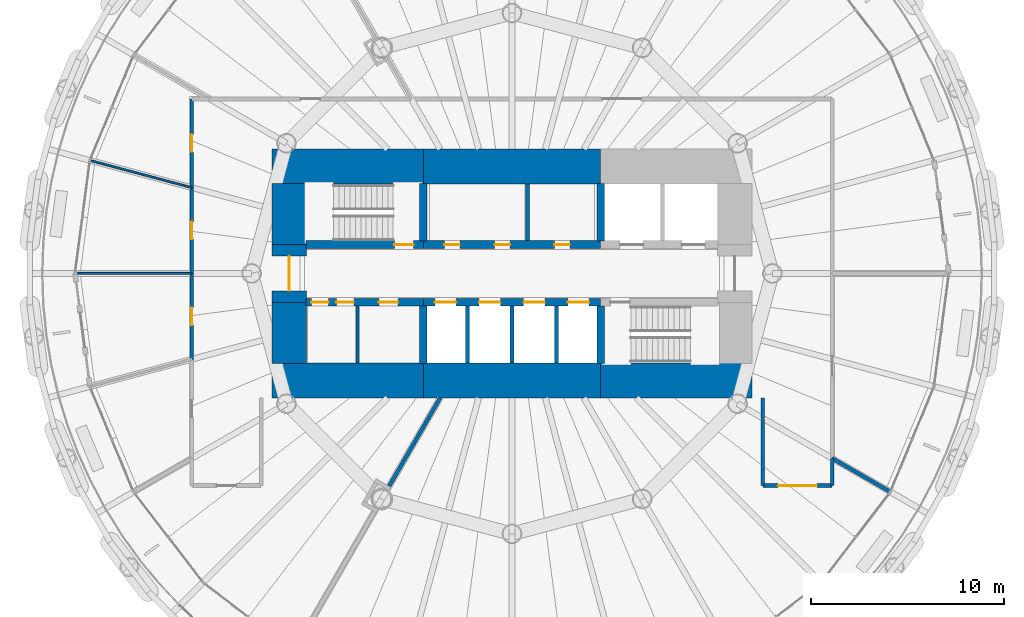
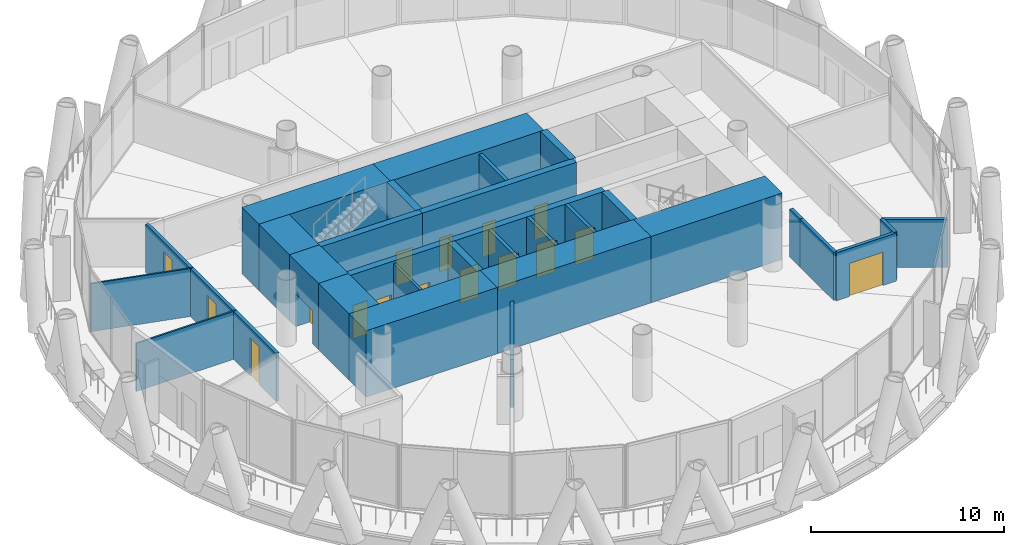
# One storey, part 10 of 15: 32 walls, 16 doors, 16 openings.
"""IFC4 building model written with IfcOpenShell, lengths in metres."""

from ifc_helpers import new_model, si_unit, direction, frame, frame_2d, origin, place, context, subcontext, project, spatial, rectangle, extrude, material, layer, layer_set, type_object, element, fill, save


model = new_model("IFC4")

# Units and contexts
model_context = context("Model", 3, precision=1e-05, world=origin(), true_north=direction((0.0, 1.0)))
body_context = subcontext(model_context, "Body", "Model", "MODEL_VIEW")
ifc_project = project(units=[si_unit("LENGTHUNIT", "METRE"), si_unit("AREAUNIT", "SQUARE_METRE"), si_unit("VOLUMEUNIT", "CUBIC_METRE"), si_unit("PLANEANGLEUNIT", "RADIAN"), si_unit("MASSUNIT", "GRAM", prefix="KILO")], contexts=[model_context])

# Site, building, storey
site_placement = place(None, origin())
site = spatial("IfcSite", under=ifc_project, at=site_placement, CompositionType="ELEMENT")
building_placement = place(site_placement, origin())
building = spatial("IfcBuilding", under=site, at=building_placement, Name="Qaws Media Tower", CompositionType="ELEMENT")
storey_placement = place(building_placement, frame((0.0, 0.0, 131.0)))
storey = spatial("IfcBuildingStorey", under=building, at=storey_placement, Name="L29", CompositionType="ELEMENT", Elevation=131.0)

# Wall, opening, door
ifc_material_1 = material(Name="Concrete C60/75", Category="concrete")
ifc_layer_1 = layer(ifc_material_1, 0.39990234375)
ifc_layer_set_1 = layer_set([ifc_layer_1], Name="Core inner wall 400")
wall_type_1 = type_object("IfcWallType", Name="Core inner wall 400", PredefinedType="SHEAR", material=ifc_layer_set_1)
wall_1_placement = place(storey_placement, frame((49.330078125, 51.5, 0.0), z_axis=(0.0, 0.0, 1.0), x_axis=(1.0, 0.0, 0.0)))
wall_1 = element("IfcWall", 1, at=wall_1_placement, inside=storey, type_object=wall_type_1, Name="W321 SW4 core wall SPNW L29", PredefinedType="SHEAR", context=body_context, shape_type="SweptSolid", body=[
    extrude(rectangle(XDim=6.06982421875, YDim=0.39990234375, at=frame_2d((3.034912109375, 0.0))), origin(), (0.0, 0.0, 1.0), 4.199951171875),
])
opening_1_placement = place(wall_1_placement, frame((4.570068359375, 0.0, 0.0)))
opening_1 = element("IfcOpeningElement", 2, at=opening_1_placement, cuts=wall_1, Name="Opening D1", PredefinedType="OPENING", context=body_context, shape_type="SweptSolid", body=[
    extrude(rectangle(XDim=1.0, YDim=2.10009765625, at=frame_2d((0.5, 1.050048828125))), frame((0.0, 0.2099609375, 0.0), z_axis=(0.0, -1.0, 0.0), x_axis=(1.0, 0.0, 0.0)), (0.0, 0.0, 1.0), 0.419921875),
])
ifc_material_2 = material(Name="Steel, fire rated", Category="steel")
door_type_1 = type_object("IfcDoorType", Name="Stair door 1000 FD120", OperationType="SINGLE_SWING_LEFT", PredefinedType="DOOR", material=ifc_material_2)
door_1_placement = place(opening_1_placement, origin())
door_1 = element("IfcDoor", 3, at=door_1_placement, inside=storey, type_object=door_type_1, Name="D1 stair S1 door L29 in wall W321", OperationType="SINGLE_SWING_LEFT", OverallHeight=2.10009765625, OverallWidth=1.0, PredefinedType="DOOR", context=body_context, shape_type="SweptSolid", body=[
    extrude(rectangle(XDim=1.0, YDim=2.10009765625, at=frame_2d((0.5, 1.050048828125))), frame((0.0, 0.02490234375, 0.0), z_axis=(0.0, -1.0, 0.0), x_axis=(1.0, 0.0, 0.0)), (0.0, 0.0, 1.0), 0.050048828125),
])
fill(opening_1, door_1)

# Wall, openings, doors
wall_2_placement = place(storey_placement, frame((55.39990234375, 51.5, 0.0), z_axis=(0.0, 0.0, 1.0), x_axis=(1.0, 0.0, 0.0)))
wall_2 = element("IfcWall", 4, at=wall_2_placement, inside=storey, type_object=wall_type_1, Name="W314 SW4 core wall SPN L29", PredefinedType="SHEAR", context=body_context, shape_type="SweptSolid", body=[
    extrude(rectangle(XDim=9.2001953125, YDim=0.39990234375, at=frame_2d((4.60009765625, 0.0))), origin(), (0.0, 0.0, 1.0), 4.199951171875),
])
opening_2_placement = place(wall_2_placement, frame((1.10009765625, 0.0, 0.0)))
opening_2 = element("IfcOpeningElement", 5, at=opening_2_placement, cuts=wall_2, Name="Opening D23", PredefinedType="OPENING", context=body_context, shape_type="SweptSolid", body=[
    extrude(rectangle(XDim=0.800048828125, YDim=2.10009765625, at=frame_2d((0.39990234375, 1.050048828125))), frame((0.0, 0.2099609375, 0.0), z_axis=(0.0, -1.0, 0.0), x_axis=(1.0, 0.0, 0.0)), (0.0, 0.0, 1.0), 0.419921875),
])
opening_3_placement = place(wall_2_placement, frame((3.699951171875, 0.0, 0.0)))
opening_3 = element("IfcOpeningElement", 6, at=opening_3_placement, cuts=wall_2, Name="Opening D23", PredefinedType="OPENING", context=body_context, shape_type="SweptSolid", body=[
    extrude(rectangle(XDim=0.800048828125, YDim=2.10009765625, at=frame_2d((0.39990234375, 1.050048828125))), frame((0.0, 0.2099609375, 0.0), z_axis=(0.0, -1.0, 0.0), x_axis=(1.0, 0.0, 0.0)), (0.0, 0.0, 1.0), 0.419921875),
])
opening_4_placement = place(wall_2_placement, frame((6.800048828125, 0.0, 0.0)))
opening_4 = element("IfcOpeningElement", 7, at=opening_4_placement, cuts=wall_2, Name="Opening D23", PredefinedType="OPENING", context=body_context, shape_type="SweptSolid", body=[
    extrude(rectangle(XDim=0.800048828125, YDim=2.10009765625, at=frame_2d((0.39990234375, 1.050048828125))), frame((0.0, 0.2099609375, 0.0), z_axis=(0.0, -1.0, 0.0), x_axis=(1.0, 0.0, 0.0)), (0.0, 0.0, 1.0), 0.419921875),
])
ifc_material_3 = material(Name="Steel, fire rated", Category="steel")
door_type_2 = type_object("IfcDoorType", Name="Core room door 800x2100", OperationType="SINGLE_SWING_LEFT", PredefinedType="DOOR", material=ifc_material_3)
door_2_placement = place(opening_2_placement, origin())
door_2 = element("IfcDoor", 8, at=door_2_placement, inside=storey, type_object=door_type_2, Name="D23 Gents toilets door L29 1 in wall W314", OperationType="SINGLE_SWING_LEFT", OverallHeight=2.10009765625, OverallWidth=0.800048828125, PredefinedType="DOOR", context=body_context, shape_type="SweptSolid", body=[
    extrude(rectangle(XDim=0.800048828125, YDim=2.10009765625, at=frame_2d((0.39990234375, 1.050048828125))), frame((0.0, 0.02490234375, 0.0), z_axis=(0.0, -1.0, 0.0), x_axis=(1.0, 0.0, 0.0)), (0.0, 0.0, 1.0), 0.050048828125),
])
fill(opening_2, door_2)
door_3_placement = place(opening_3_placement, origin())
door_3 = element("IfcDoor", 9, at=door_3_placement, inside=storey, type_object=door_type_2, Name="D23 Gents toilets door L29 2 in wall W314", OperationType="SINGLE_SWING_LEFT", OverallHeight=2.10009765625, OverallWidth=0.800048828125, PredefinedType="DOOR", context=body_context, shape_type="SweptSolid", body=[
    extrude(rectangle(XDim=0.800048828125, YDim=2.10009765625, at=frame_2d((0.39990234375, 1.050048828125))), frame((0.0, 0.02490234375, 0.0), z_axis=(0.0, -1.0, 0.0), x_axis=(1.0, 0.0, 0.0)), (0.0, 0.0, 1.0), 0.050048828125),
])
fill(opening_3, door_3)
door_4_placement = place(opening_4_placement, origin())
door_4 = element("IfcDoor", 10, at=door_4_placement, inside=storey, type_object=door_type_2, Name="D23 Ladies toilets door L29 in wall W314", OperationType="SINGLE_SWING_LEFT", OverallHeight=2.10009765625, OverallWidth=0.800048828125, PredefinedType="DOOR", context=body_context, shape_type="SweptSolid", body=[
    extrude(rectangle(XDim=0.800048828125, YDim=2.10009765625, at=frame_2d((0.39990234375, 1.050048828125))), frame((0.0, 0.02490234375, 0.0), z_axis=(0.0, -1.0, 0.0), x_axis=(1.0, 0.0, 0.0)), (0.0, 0.0, 1.0), 0.050048828125),
])
fill(opening_4, door_4)

wall_3_placement = place(storey_placement, frame((49.330078125, 48.5, 0.0), z_axis=(0.0, 0.0, 1.0), x_axis=(1.0, 0.0, 0.0)))
wall_3 = element("IfcWall", 11, at=wall_3_placement, inside=storey, type_object=wall_type_1, Name="W320 SW4 core wall SPSW L29", PredefinedType="SHEAR", context=body_context, shape_type="SweptSolid", body=[
    extrude(rectangle(XDim=6.06982421875, YDim=0.39990234375, at=frame_2d((3.034912109375, 0.0))), origin(), (0.0, 0.0, 1.0), 4.199951171875),
])
opening_5_placement = place(wall_3_placement, frame((0.27001953125, 0.0, 0.0)))
opening_5 = element("IfcOpeningElement", 12, at=opening_5_placement, cuts=wall_3, Name="Opening D3", PredefinedType="OPENING", context=body_context, shape_type="SweptSolid", body=[
    extrude(rectangle(XDim=0.89990234375, YDim=2.10009765625, at=frame_2d((0.449951171875, 1.050048828125))), frame((0.0, 0.2099609375, 0.0), z_axis=(0.0, -1.0, 0.0), x_axis=(1.0, 0.0, 0.0)), (0.0, 0.0, 1.0), 0.419921875),
])
opening_6_placement = place(wall_3_placement, frame((1.570068359375, 0.0, 0.0)))
opening_6 = element("IfcOpeningElement", 13, at=opening_6_placement, cuts=wall_3, Name="Opening D3", PredefinedType="OPENING", context=body_context, shape_type="SweptSolid", body=[
    extrude(rectangle(XDim=0.89990234375, YDim=2.10009765625, at=frame_2d((0.449951171875, 1.050048828125))), frame((0.0, 0.2099609375, 0.0), z_axis=(0.0, -1.0, 0.0), x_axis=(1.0, 0.0, 0.0)), (0.0, 0.0, 1.0), 0.419921875),
])
opening_7_placement = place(wall_3_placement, frame((3.77001953125, 0.0, 0.0)))
opening_7 = element("IfcOpeningElement", 14, at=opening_7_placement, cuts=wall_3, Name="Opening D4", PredefinedType="OPENING", context=body_context, shape_type="SweptSolid", body=[
    extrude(rectangle(XDim=1.0, YDim=2.10009765625, at=frame_2d((0.5, 1.050048828125))), frame((0.0, 0.2099609375, 0.0), z_axis=(0.0, -1.0, 0.0), x_axis=(1.0, 0.0, 0.0)), (0.0, 0.0, 1.0), 0.419921875),
])
ifc_material_4 = material(Name="Timber veneered", Category="wood")
door_type_3 = type_object("IfcDoorType", Name="Accessible WC door 1000", OperationType="SLIDING_TO_LEFT", PredefinedType="DOOR", material=ifc_material_4)
door_5_placement = place(opening_7_placement, origin())
door_5 = element("IfcDoor", 15, at=door_5_placement, inside=storey, type_object=door_type_3, Name="D4 toilet door 3 L29 in wall W320", OperationType="SLIDING_TO_LEFT", OverallHeight=2.10009765625, OverallWidth=1.0, PredefinedType="DOOR", context=body_context, shape_type="SweptSolid", body=[
    extrude(rectangle(XDim=1.0, YDim=2.10009765625, at=frame_2d((0.5, 1.050048828125))), frame((0.0, 0.02490234375, 0.0), z_axis=(0.0, -1.0, 0.0), x_axis=(1.0, 0.0, 0.0)), (0.0, 0.0, 1.0), 0.050048828125),
])
fill(opening_7, door_5)
ifc_material_5 = material(Name="Timber veneered", Category="wood")
door_type_4 = type_object("IfcDoorType", Name="Toilet door 900", OperationType="SINGLE_SWING_RIGHT", PredefinedType="DOOR", material=ifc_material_5)
door_6_placement = place(opening_5_placement, origin())
door_6 = element("IfcDoor", 16, at=door_6_placement, inside=storey, type_object=door_type_4, Name="D3 toilet door 1 L29 in wall W320", OperationType="SINGLE_SWING_RIGHT", OverallHeight=2.10009765625, OverallWidth=0.89990234375, PredefinedType="DOOR", context=body_context, shape_type="SweptSolid", body=[
    extrude(rectangle(XDim=0.89990234375, YDim=2.10009765625, at=frame_2d((0.449951171875, 1.050048828125))), frame((0.0, 0.02490234375, 0.0), z_axis=(0.0, -1.0, 0.0), x_axis=(1.0, 0.0, 0.0)), (0.0, 0.0, 1.0), 0.050048828125),
])
fill(opening_5, door_6)
door_7_placement = place(opening_6_placement, origin())
door_7 = element("IfcDoor", 17, at=door_7_placement, inside=storey, type_object=door_type_4, Name="D3 toilet door 2 L29 in wall W320", OperationType="SINGLE_SWING_RIGHT", OverallHeight=2.10009765625, OverallWidth=0.89990234375, PredefinedType="DOOR", context=body_context, shape_type="SweptSolid", body=[
    extrude(rectangle(XDim=0.89990234375, YDim=2.10009765625, at=frame_2d((0.449951171875, 1.050048828125))), frame((0.0, 0.02490234375, 0.0), z_axis=(0.0, -1.0, 0.0), x_axis=(1.0, 0.0, 0.0)), (0.0, 0.0, 1.0), 0.050048828125),
])
fill(opening_6, door_7)

wall_4_placement = place(storey_placement, frame((55.39990234375, 48.5, 0.0), z_axis=(0.0, 0.0, 1.0), x_axis=(1.0, 0.0, 0.0)))
wall_4 = element("IfcWall", 18, at=wall_4_placement, inside=storey, type_object=wall_type_1, Name="W313 SW4 core wall SPS L29", PredefinedType="SHEAR", context=body_context, shape_type="SweptSolid", body=[
    extrude(rectangle(XDim=9.2001953125, YDim=0.39990234375, at=frame_2d((4.60009765625, 0.0))), origin(), (0.0, 0.0, 1.0), 4.199951171875),
])
opening_8_placement = place(wall_4_placement, frame((0.60009765625, 0.0, 0.0)))
opening_8 = element("IfcOpeningElement", 19, at=opening_8_placement, cuts=wall_4, Name="Opening LD", PredefinedType="OPENING", context=body_context, shape_type="SweptSolid", body=[
    extrude(rectangle(XDim=1.10009765625, YDim=2.10009765625, at=frame_2d((0.550048828125, 1.050048828125))), frame((0.0, 0.2099609375, 0.0), z_axis=(0.0, -1.0, 0.0), x_axis=(1.0, 0.0, 0.0)), (0.0, 0.0, 1.0), 0.419921875),
])
opening_9_placement = place(wall_4_placement, frame((2.89990234375, 0.0, 0.0)))
opening_9 = element("IfcOpeningElement", 20, at=opening_9_placement, cuts=wall_4, Name="Opening LD", PredefinedType="OPENING", context=body_context, shape_type="SweptSolid", body=[
    extrude(rectangle(XDim=1.10009765625, YDim=2.10009765625, at=frame_2d((0.550048828125, 1.050048828125))), frame((0.0, 0.2099609375, 0.0), z_axis=(0.0, -1.0, 0.0), x_axis=(1.0, 0.0, 0.0)), (0.0, 0.0, 1.0), 0.419921875),
])
opening_10_placement = place(wall_4_placement, frame((5.199951171875, 0.0, 0.0)))
opening_10 = element("IfcOpeningElement", 21, at=opening_10_placement, cuts=wall_4, Name="Opening LD", PredefinedType="OPENING", context=body_context, shape_type="SweptSolid", body=[
    extrude(rectangle(XDim=1.10009765625, YDim=2.10009765625, at=frame_2d((0.550048828125, 1.050048828125))), frame((0.0, 0.2099609375, 0.0), z_axis=(0.0, -1.0, 0.0), x_axis=(1.0, 0.0, 0.0)), (0.0, 0.0, 1.0), 0.419921875),
])
opening_11_placement = place(wall_4_placement, frame((7.5, 0.0, 0.0)))
opening_11 = element("IfcOpeningElement", 22, at=opening_11_placement, cuts=wall_4, Name="Opening LD", PredefinedType="OPENING", context=body_context, shape_type="SweptSolid", body=[
    extrude(rectangle(XDim=1.10009765625, YDim=2.10009765625, at=frame_2d((0.550048828125, 1.050048828125))), frame((0.0, 0.2099609375, 0.0), z_axis=(0.0, -1.0, 0.0), x_axis=(1.0, 0.0, 0.0)), (0.0, 0.0, 1.0), 0.419921875),
])
ifc_material_6 = material(Name="Steel, fire rated", Category="steel")
door_type_5 = type_object("IfcDoorType", Name="Lift landing door 1100", OperationType="SLIDING_TO_LEFT", PredefinedType="DOOR", material=ifc_material_6)
door_8_placement = place(opening_8_placement, origin())
door_8 = element("IfcDoor", 23, at=door_8_placement, inside=storey, type_object=door_type_5, Name="P5 landing door L29 in wall W313", OperationType="SLIDING_TO_LEFT", OverallHeight=2.10009765625, OverallWidth=1.10009765625, PredefinedType="DOOR", context=body_context, shape_type="SweptSolid", body=[
    extrude(rectangle(XDim=1.10009765625, YDim=2.10009765625, at=frame_2d((0.550048828125, 1.050048828125))), frame((0.0, 0.02490234375, 0.0), z_axis=(0.0, -1.0, 0.0), x_axis=(1.0, 0.0, 0.0)), (0.0, 0.0, 1.0), 0.050048828125),
])
fill(opening_8, door_8)
door_9_placement = place(opening_9_placement, origin())
door_9 = element("IfcDoor", 24, at=door_9_placement, inside=storey, type_object=door_type_5, Name="P6 landing door L29 in wall W313", OperationType="SLIDING_TO_LEFT", OverallHeight=2.10009765625, OverallWidth=1.10009765625, PredefinedType="DOOR", context=body_context, shape_type="SweptSolid", body=[
    extrude(rectangle(XDim=1.10009765625, YDim=2.10009765625, at=frame_2d((0.550048828125, 1.050048828125))), frame((0.0, 0.02490234375, 0.0), z_axis=(0.0, -1.0, 0.0), x_axis=(1.0, 0.0, 0.0)), (0.0, 0.0, 1.0), 0.050048828125),
])
fill(opening_9, door_9)
door_10_placement = place(opening_10_placement, origin())
door_10 = element("IfcDoor", 25, at=door_10_placement, inside=storey, type_object=door_type_5, Name="P7 landing door L29 in wall W313", OperationType="SLIDING_TO_LEFT", OverallHeight=2.10009765625, OverallWidth=1.10009765625, PredefinedType="DOOR", context=body_context, shape_type="SweptSolid", body=[
    extrude(rectangle(XDim=1.10009765625, YDim=2.10009765625, at=frame_2d((0.550048828125, 1.050048828125))), frame((0.0, 0.02490234375, 0.0), z_axis=(0.0, -1.0, 0.0), x_axis=(1.0, 0.0, 0.0)), (0.0, 0.0, 1.0), 0.050048828125),
])
fill(opening_10, door_10)
door_11_placement = place(opening_11_placement, origin())
door_11 = element("IfcDoor", 26, at=door_11_placement, inside=storey, type_object=door_type_5, Name="P8 landing door L29 in wall W313", OperationType="SLIDING_TO_LEFT", OverallHeight=2.10009765625, OverallWidth=1.10009765625, PredefinedType="DOOR", context=body_context, shape_type="SweptSolid", body=[
    extrude(rectangle(XDim=1.10009765625, YDim=2.10009765625, at=frame_2d((0.550048828125, 1.050048828125))), frame((0.0, 0.02490234375, 0.0), z_axis=(0.0, -1.0, 0.0), x_axis=(1.0, 0.0, 0.0)), (0.0, 0.0, 1.0), 0.050048828125),
])
fill(opening_11, door_11)

# Walls
for number, where, z_axis, x_axis, name in (
    (27, (55.39990234375, 51.679931640625, 0.0), (0.0, 0.0, 1.0), (0.0, 1.0, 0.0), "W323 SW4 core wall XNW L29"),
    (28, (64.60009765625, 51.679931640625, 0.0), (0.0, 0.0, 1.0), (0.0, 1.0, 0.0), "W327 SW4 core wall XNE L29"),
    (29, (55.39990234375, 48.320068359375, 0.0), (0.0, 0.0, 1.0), (0.0, -1.0, 0.0), "W322 SW4 core wall XSW L29"),
    (30, (64.60009765625, 48.320068359375, 0.0), (0.0, 0.0, 1.0), (0.0, -1.0, 0.0), "W324 SW4 core wall XSE L29"),
):
    element("IfcWall", number, at=place(storey_placement, frame(where, z_axis=z_axis, x_axis=x_axis)), inside=storey, type_object=wall_type_1, Name=name, PredefinedType="SHEAR", context=body_context, shape_type="SweptSolid", body=[
        extrude(rectangle(XDim=2.989990234375, YDim=0.39990234375, at=frame_2d((1.4951171875, 0.0))), origin(), (0.0, 0.0, 1.0), 4.199951171875),
    ])
ifc_material_7 = material(Name="Concrete C60/75", Category="concrete")
ifc_layer_2 = layer(ifc_material_7, 1.800048828125)
ifc_layer_set_2 = layer_set([ifc_layer_2], Name="Core wall 1800")
wall_type_2 = type_object("IfcWallType", Name="Core wall 1800", PredefinedType="SHEAR", material=ifc_layer_set_2)
wall_5_placement = place(storey_placement, frame((47.550048828125, 55.550048828125, 0.0), z_axis=(0.0, 0.0, 1.0), x_axis=(1.0, 0.0, 0.0)))
element("IfcWall", 31, at=wall_5_placement, inside=storey, type_object=wall_type_2, Name="W417 SW11 core wall NW L29", PredefinedType="SHEAR", context=body_context, shape_type="SweptSolid", body=[
    extrude(rectangle(XDim=7.849853515625, YDim=1.800048828125, at=frame_2d((3.9248046875, 0.0))), origin(), (0.0, 0.0, 1.0), 4.199951171875),
])
wall_6_placement = place(storey_placement, frame((55.39990234375, 55.550048828125, 0.0), z_axis=(0.0, 0.0, 1.0), x_axis=(1.0, 0.0, 0.0)))
element("IfcWall", 32, at=wall_6_placement, inside=storey, type_object=wall_type_2, Name="W421 SW11 core wall N L29", PredefinedType="SHEAR", context=body_context, shape_type="SweptSolid", body=[
    extrude(rectangle(XDim=9.2001953125, YDim=1.800048828125, at=frame_2d((4.60009765625, 0.0))), origin(), (0.0, 0.0, 1.0), 4.199951171875),
])
wall_7_placement = place(storey_placement, frame((47.550048828125, 44.449951171875, 0.0), z_axis=(0.0, 0.0, 1.0), x_axis=(1.0, 0.0, 0.0)))
element("IfcWall", 33, at=wall_7_placement, inside=storey, type_object=wall_type_2, Name="W416 SW11 core wall SW L29", PredefinedType="SHEAR", context=body_context, shape_type="SweptSolid", body=[
    extrude(rectangle(XDim=7.849853515625, YDim=1.800048828125, at=frame_2d((3.9248046875, 0.0))), origin(), (0.0, 0.0, 1.0), 4.199951171875),
])
wall_8_placement = place(storey_placement, frame((55.39990234375, 44.449951171875, 0.0), z_axis=(0.0, 0.0, 1.0), x_axis=(1.0, 0.0, 0.0)))
element("IfcWall", 34, at=wall_8_placement, inside=storey, type_object=wall_type_2, Name="W420 SW11 core wall S L29", PredefinedType="SHEAR", context=body_context, shape_type="SweptSolid", body=[
    extrude(rectangle(XDim=9.2001953125, YDim=1.800048828125, at=frame_2d((4.60009765625, 0.0))), origin(), (0.0, 0.0, 1.0), 4.199951171875),
])
wall_9_placement = place(storey_placement, frame((64.60009765625, 44.449951171875, 0.0), z_axis=(0.0, 0.0, 1.0), x_axis=(1.0, 0.0, 0.0)))
element("IfcWall", 35, at=wall_9_placement, inside=storey, type_object=wall_type_2, Name="W422 SW11 core wall SE L29", PredefinedType="SHEAR", context=body_context, shape_type="SweptSolid", body=[
    extrude(rectangle(XDim=7.849853515625, YDim=1.800048828125, at=frame_2d((3.9248046875, 0.0))), origin(), (0.0, 0.0, 1.0), 4.199951171875),
])
wall_10_placement = place(storey_placement, frame((48.449951171875, 45.330078125, 0.0), z_axis=(0.0, 0.0, 1.0), x_axis=(0.0, 1.0, 0.0)))
element("IfcWall", 36, at=wall_10_placement, inside=storey, type_object=wall_type_2, Name="W418 SW11 core wall WS L29", PredefinedType="SHEAR", context=body_context, shape_type="SweptSolid", body=[
    extrude(rectangle(XDim=3.169921875, YDim=1.800048828125, at=frame_2d((1.5849609375, 0.0))), origin(), (0.0, 0.0, 1.0), 4.199951171875),
])

# Wall, opening, door
wall_11_placement = place(storey_placement, frame((48.449951171875, 48.5, 0.0), z_axis=(0.0, 0.0, 1.0), x_axis=(0.0, 1.0, 0.0)))
wall_11 = element("IfcWall", 37, at=wall_11_placement, inside=storey, type_object=wall_type_2, Name="W426 SW11 core wall W L29", PredefinedType="SHEAR", context=body_context, shape_type="SweptSolid", body=[
    extrude(rectangle(XDim=3.0, YDim=1.800048828125, at=frame_2d((1.5, 0.0))), origin(), (0.0, 0.0, 1.0), 4.199951171875),
])
opening_12_placement = place(wall_11_placement, frame((0.60009765625, 0.0, 0.0)))
opening_12 = element("IfcOpeningElement", 38, at=opening_12_placement, cuts=wall_11, Name="Opening D2", PredefinedType="OPENING", context=body_context, shape_type="SweptSolid", body=[
    extrude(rectangle(XDim=1.800048828125, YDim=2.10009765625, at=frame_2d((0.89990234375, 1.050048828125))), frame((0.0, 0.909912109375, 0.0), z_axis=(0.0, -1.0, 0.0), x_axis=(1.0, 0.0, 0.0)), (0.0, 0.0, 1.0), 1.820068359375),
])
ifc_material_8 = material(Name="Steel and glass, fire rated", Category="steel")
door_type_6 = type_object("IfcDoorType", Name="Lobby door pair 1800 FD60", OperationType="DOUBLE_DOOR_DOUBLE_SWING", PredefinedType="DOOR", material=ifc_material_8)
door_12_placement = place(opening_12_placement, origin())
door_12 = element("IfcDoor", 39, at=door_12_placement, inside=storey, type_object=door_type_6, Name="D2 core lobby door W L29 in wall W426", OperationType="DOUBLE_DOOR_DOUBLE_SWING", OverallHeight=2.10009765625, OverallWidth=1.800048828125, PredefinedType="DOOR", context=body_context, shape_type="SweptSolid", body=[
    extrude(rectangle(XDim=1.800048828125, YDim=2.10009765625, at=frame_2d((0.89990234375, 1.050048828125))), frame((0.0, 0.02490234375, 0.0), z_axis=(0.0, -1.0, 0.0), x_axis=(1.0, 0.0, 0.0)), (0.0, 0.0, 1.0), 0.050048828125),
])
fill(opening_12, door_12)

# Walls
wall_12_placement = place(storey_placement, frame((48.449951171875, 51.5, 0.0), z_axis=(0.0, 0.0, 1.0), x_axis=(0.0, 1.0, 0.0)))
element("IfcWall", 40, at=wall_12_placement, inside=storey, type_object=wall_type_2, Name="W419 SW11 core wall WN L29", PredefinedType="SHEAR", context=body_context, shape_type="SweptSolid", body=[
    extrude(rectangle(XDim=3.169921875, YDim=1.800048828125, at=frame_2d((1.5849609375, 0.0))), origin(), (0.0, 0.0, 1.0), 4.199951171875),
])
ifc_material_9 = material(Name="Gypsum board on 70 metal studs, single layer each side", Category="gypsum")
ifc_layer_3 = layer(ifc_material_9, 0.10009765625)
ifc_layer_set_3 = layer_set([ifc_layer_3], Name="Office stud partition 100")
wall_type_3 = type_object("IfcWallType", Name="Office stud partition 100", PredefinedType="PARTITIONING", material=ifc_layer_set_3)
wall_13_placement = place(storey_placement, frame((43.405517578125, 54.446533203125, 0.0), z_axis=(0.0, 0.0, 1.0), x_axis=(-0.965932799886, 0.258793017881, 0.0)))
element("IfcWall", 41, at=wall_13_placement, inside=storey, type_object=wall_type_3, Name="W667 IW4 partition L29", PredefinedType="PARTITIONING", context=body_context, shape_type="SweptSolid", body=[
    extrude(rectangle(XDim=5.43017578125, YDim=0.10009765625, at=frame_2d((2.715087890625, 0.0))), origin(), (0.0, 0.0, 1.0), 3.0400390625),
])
wall_14_placement = place(storey_placement, frame((43.39990234375, 50.0, 0.0), z_axis=(0.0, 0.0, 1.0), x_axis=(-1.0, 0.0, 0.0)))
element("IfcWall", 42, at=wall_14_placement, inside=storey, type_object=wall_type_3, Name="W665 IW4 partition L29", PredefinedType="PARTITIONING", context=body_context, shape_type="SweptSolid", body=[
    extrude(rectangle(XDim=5.909912109375, YDim=0.10009765625, at=frame_2d((2.955078125, 0.0))), origin(), (0.0, 0.0, 1.0), 3.0400390625),
])
ifc_material_10 = material(Name="Gypsum board on galvanised metal studs, acoustic double stud, deflection head", Category="gypsum")
ifc_layer_4 = layer(ifc_material_10, 0.199951171875)
ifc_layer_set_4 = layer_set([ifc_layer_4], Name="Room partition 200")
wall_type_4 = type_object("IfcWallType", Name="Room partition 200", PredefinedType="PARTITIONING", material=ifc_layer_set_4)
wall_15_placement = place(storey_placement, frame((76.60009765625, 40.416015625, 0.0), z_axis=(0.0, 0.0, 1.0), x_axis=(0.0, -1.0, 0.0)))
element("IfcWall", 43, at=wall_15_placement, inside=storey, type_object=wall_type_4, Name="W1263 IW3 partition L29", PredefinedType="PARTITIONING", context=body_context, shape_type="SweptSolid", body=[
    extrude(rectangle(XDim=1.416015625, YDim=0.199951171875, at=frame_2d((0.7080078125, 0.0))), origin(), (0.0, 0.0, 1.0), 3.0400390625),
])

# Wall, opening, door
wall_16_placement = place(storey_placement, frame((76.60009765625, 39.0, 0.0), z_axis=(0.0, 0.0, 1.0), x_axis=(-1.0, 0.0, 0.0)))
wall_16 = element("IfcWall", 44, at=wall_16_placement, inside=storey, type_object=wall_type_4, Name="W1262 IW3 partition L29", PredefinedType="PARTITIONING", context=body_context, shape_type="SweptSolid", body=[
    extrude(rectangle(XDim=3.60009765625, YDim=0.199951171875, at=frame_2d((1.800048828125, 0.0))), origin(), (0.0, 0.0, 1.0), 3.0400390625),
])
opening_13_placement = place(wall_16_placement, frame((0.800048828125, 0.0, 0.0)))
opening_13 = element("IfcOpeningElement", 45, at=opening_13_placement, cuts=wall_16, Name="Opening D6", PredefinedType="OPENING", context=body_context, shape_type="SweptSolid", body=[
    extrude(rectangle(XDim=2.0, YDim=2.10009765625, at=frame_2d((1.0, 1.050048828125))), frame((0.0, 0.10986328125, 0.0), z_axis=(0.0, -1.0, 0.0), x_axis=(1.0, 0.0, 0.0)), (0.0, 0.0, 1.0), 0.219970703125),
])
ifc_material_11 = material(Name="Steel, acoustic, fire rated", Category="steel")
door_type_7 = type_object("IfcDoorType", Name="Room door pair 2000", OperationType="DOUBLE_DOOR_DOUBLE_SWING", PredefinedType="DOOR", material=ifc_material_11)
door_13_placement = place(opening_13_placement, origin())
door_13 = element("IfcDoor", 46, at=door_13_placement, inside=storey, type_object=door_type_7, Name="D6 Finance office door L29 in wall W1262", OperationType="DOUBLE_DOOR_DOUBLE_SWING", OverallHeight=2.10009765625, OverallWidth=2.0, PredefinedType="DOOR", context=body_context, shape_type="SweptSolid", body=[
    extrude(rectangle(XDim=2.0, YDim=2.10009765625, at=frame_2d((1.0, 1.050048828125))), frame((0.0, 0.02490234375, 0.0), z_axis=(0.0, -1.0, 0.0), x_axis=(1.0, 0.0, 0.0)), (0.0, 0.0, 1.0), 0.050048828125),
])
fill(opening_13, door_13)

# Walls
wall_17_placement = place(storey_placement, frame((73.0, 39.0, 0.0), z_axis=(0.0, 0.0, 1.0), x_axis=(0.0, 1.0, 0.0)))
element("IfcWall", 47, at=wall_17_placement, inside=storey, type_object=wall_type_4, Name="W1228 IW3 partition L29", PredefinedType="PARTITIONING", context=body_context, shape_type="SweptSolid", body=[
    extrude(rectangle(XDim=3.494384765625, YDim=0.199951171875, at=frame_2d((1.7470703125, 0.0))), origin(), (0.0, 0.0, 1.0), 3.0400390625),
])
wall_18_placement = place(storey_placement, frame((73.0, 42.494384765625, 0.0), z_axis=(0.0, 0.0, 1.0), x_axis=(0.0, 1.0, 0.0)))
element("IfcWall", 48, at=wall_18_placement, inside=storey, type_object=wall_type_4, Name="W1229 IW3 partition L29", PredefinedType="PARTITIONING", context=body_context, shape_type="SweptSolid", body=[
    extrude(rectangle(XDim=1.0556640625, YDim=0.199951171875, at=frame_2d((0.52783203125, 0.0))), origin(), (0.0, 0.0, 1.0), 3.0400390625),
])

# Wall, opening, door
wall_19_placement = place(storey_placement, frame((43.39990234375, 45.552001953125, 0.0), z_axis=(0.0, 0.0, 1.0), x_axis=(0.0, 1.0, 0.0)))
wall_19 = element("IfcWall", 49, at=wall_19_placement, inside=storey, type_object=wall_type_4, Name="W1247 IW3 partition L29", PredefinedType="PARTITIONING", context=body_context, shape_type="SweptSolid", body=[
    extrude(rectangle(XDim=4.447998046875, YDim=0.199951171875, at=frame_2d((2.22412109375, 0.0))), origin(), (0.0, 0.0, 1.0), 3.0400390625),
])
opening_14_placement = place(wall_19_placement, frame((1.77392578125, 0.0, 0.0)))
opening_14 = element("IfcOpeningElement", 50, at=opening_14_placement, cuts=wall_19, Name="Opening D12", PredefinedType="OPENING", context=body_context, shape_type="SweptSolid", body=[
    extrude(rectangle(XDim=0.89990234375, YDim=2.39990234375, at=frame_2d((0.449951171875, 1.199951171875))), frame((0.0, 0.10986328125, 0.0), z_axis=(0.0, -1.0, 0.0), x_axis=(1.0, 0.0, 0.0)), (0.0, 0.0, 1.0), 0.219970703125),
])
ifc_material_12 = material(Name="Timber veneered, full height", Category="wood")
door_type_8 = type_object("IfcDoorType", Name="Office door 900x2400", OperationType="SINGLE_SWING_LEFT", PredefinedType="DOOR", material=ifc_material_12)
door_14_placement = place(opening_14_placement, origin())
door_14 = element("IfcDoor", 51, at=door_14_placement, inside=storey, type_object=door_type_8, Name="D12 Office door L29 in wall W1247", OperationType="SINGLE_SWING_LEFT", OverallHeight=2.39990234375, OverallWidth=0.89990234375, PredefinedType="DOOR", context=body_context, shape_type="SweptSolid", body=[
    extrude(rectangle(XDim=0.89990234375, YDim=2.39990234375, at=frame_2d((0.449951171875, 1.199951171875))), frame((0.0, 0.02490234375, 0.0), z_axis=(0.0, -1.0, 0.0), x_axis=(1.0, 0.0, 0.0)), (0.0, 0.0, 1.0), 0.050048828125),
])
fill(opening_14, door_14)

wall_20_placement = place(storey_placement, frame((43.39990234375, 50.0, 0.0), z_axis=(0.0, 0.0, 1.0), x_axis=(0.0, 1.0, 0.0)))
wall_20 = element("IfcWall", 52, at=wall_20_placement, inside=storey, type_object=wall_type_4, Name="W1248 IW3 partition L29", PredefinedType="PARTITIONING", context=body_context, shape_type="SweptSolid", body=[
    extrude(rectangle(XDim=4.447998046875, YDim=0.199951171875, at=frame_2d((2.22412109375, 0.0))), origin(), (0.0, 0.0, 1.0), 3.0400390625),
])
opening_15_placement = place(wall_20_placement, frame((1.77392578125, 0.0, 0.0)))
opening_15 = element("IfcOpeningElement", 53, at=opening_15_placement, cuts=wall_20, Name="Opening D12", PredefinedType="OPENING", context=body_context, shape_type="SweptSolid", body=[
    extrude(rectangle(XDim=0.89990234375, YDim=2.39990234375, at=frame_2d((0.449951171875, 1.199951171875))), frame((0.0, 0.10986328125, 0.0), z_axis=(0.0, -1.0, 0.0), x_axis=(1.0, 0.0, 0.0)), (0.0, 0.0, 1.0), 0.219970703125),
])
door_15_placement = place(opening_15_placement, origin())
door_15 = element("IfcDoor", 54, at=door_15_placement, inside=storey, type_object=door_type_8, Name="D12 Office door L29 in wall W1248", OperationType="SINGLE_SWING_LEFT", OverallHeight=2.39990234375, OverallWidth=0.89990234375, PredefinedType="DOOR", context=body_context, shape_type="SweptSolid", body=[
    extrude(rectangle(XDim=0.89990234375, YDim=2.39990234375, at=frame_2d((0.449951171875, 1.199951171875))), frame((0.0, 0.02490234375, 0.0), z_axis=(0.0, -1.0, 0.0), x_axis=(1.0, 0.0, 0.0)), (0.0, 0.0, 1.0), 0.050048828125),
])
fill(opening_15, door_15)

wall_21_placement = place(storey_placement, frame((43.39990234375, 54.447998046875, 0.0), z_axis=(0.0, 0.0, 1.0), x_axis=(0.0, 1.0, 0.0)))
wall_21 = element("IfcWall", 55, at=wall_21_placement, inside=storey, type_object=wall_type_4, Name="W1249 IW3 partition L29", PredefinedType="PARTITIONING", context=body_context, shape_type="SweptSolid", body=[
    extrude(rectangle(XDim=4.60205078125, YDim=0.199951171875, at=frame_2d((2.301025390625, 0.0))), origin(), (0.0, 0.0, 1.0), 3.0400390625),
])
opening_16_placement = place(wall_21_placement, frame((1.85107421875, 0.0, 0.0)))
opening_16 = element("IfcOpeningElement", 56, at=opening_16_placement, cuts=wall_21, Name="Opening D12", PredefinedType="OPENING", context=body_context, shape_type="SweptSolid", body=[
    extrude(rectangle(XDim=0.89990234375, YDim=2.39990234375, at=frame_2d((0.449951171875, 1.199951171875))), frame((0.0, 0.10986328125, 0.0), z_axis=(0.0, -1.0, 0.0), x_axis=(1.0, 0.0, 0.0)), (0.0, 0.0, 1.0), 0.219970703125),
])
door_16_placement = place(opening_16_placement, origin())
door_16 = element("IfcDoor", 57, at=door_16_placement, inside=storey, type_object=door_type_8, Name="D12 Office door L29 in wall W1249", OperationType="SINGLE_SWING_LEFT", OverallHeight=2.39990234375, OverallWidth=0.89990234375, PredefinedType="DOOR", context=body_context, shape_type="SweptSolid", body=[
    extrude(rectangle(XDim=0.89990234375, YDim=2.39990234375, at=frame_2d((0.449951171875, 1.199951171875))), frame((0.0, 0.02490234375, 0.0), z_axis=(0.0, -1.0, 0.0), x_axis=(1.0, 0.0, 0.0)), (0.0, 0.0, 1.0), 0.050048828125),
])
fill(opening_16, door_16)

# Walls
wall_22_placement = place(storey_placement, frame((56.280029296875, 43.556884765625, 0.0), z_axis=(0.0, 0.0, 1.0), x_axis=(-0.49999933383, -0.866025788398, 0.0)))
element("IfcWall", 58, at=wall_22_placement, inside=storey, type_object=wall_type_4, Name="W1259 IW3 partition L29", PredefinedType="PARTITIONING", context=body_context, shape_type="SweptSolid", body=[
    extrude(rectangle(XDim=5.2919921875, YDim=0.199951171875, at=frame_2d((2.64599609375, 0.0))), origin(), (0.0, 0.0, 1.0), 3.0400390625),
])
wall_23_placement = place(storey_placement, frame((76.593017578125, 40.419921875, 0.0), z_axis=(0.0, 0.0, 1.0), x_axis=(0.866044174857, -0.499967486139, 0.0)))
element("IfcWall", 59, at=wall_23_placement, inside=storey, type_object=wall_type_4, Name="W1276 IW3 partition L29", PredefinedType="PARTITIONING", context=body_context, shape_type="SweptSolid", body=[
    extrude(rectangle(XDim=3.449951171875, YDim=0.199951171875, at=frame_2d((1.72509765625, 0.0))), origin(), (0.0, 0.0, 1.0), 3.0400390625),
])
wall_24_placement = place(storey_placement, frame((60.800048828125, 51.699951171875, 0.0), z_axis=(0.0, 0.0, 1.0), x_axis=(0.0, 1.0, 0.0)))
element("IfcWall", 60, at=wall_24_placement, inside=storey, type_object=wall_type_4, Name="W1260 IW3 core room partition 1 L29", PredefinedType="PARTITIONING", context=body_context, shape_type="SweptSolid", body=[
    extrude(rectangle(XDim=2.949951171875, YDim=0.199951171875, at=frame_2d((1.47509765625, 0.0))), origin(), (0.0, 0.0, 1.0), 4.0400390625),
])
ifc_material_13 = material(Name="Fire-rated gypsum board shaft wall on galvanised metal studs, deflection head", Category="gypsum")
ifc_layer_5 = layer(ifc_material_13, 0.199951171875)
ifc_layer_set_5 = layer_set([ifc_layer_5], Name="Shaft wall 200")
wall_type_5 = type_object("IfcWallType", Name="Shaft wall 200", PredefinedType="PARTITIONING", material=ifc_layer_set_5)
for number, where, z_axis, x_axis, name in (
    (61, (57.699951171875, 45.35009765625, 0.0), (0.0, 0.0, 1.0), (0.0, 1.0, 0.0), "W1860 IW1 shaft wall S1 L29"),
    (62, (60.0, 45.35009765625, 0.0), (0.0, 0.0, 1.0), (0.0, 1.0, 0.0), "W1861 IW1 shaft wall S2 L29"),
    (63, (62.300048828125, 45.35009765625, 0.0), (0.0, 0.0, 1.0), (0.0, 1.0, 0.0), "W1862 IW1 shaft wall S3 L29"),
):
    element("IfcWall", number, at=place(storey_placement, frame(where, z_axis=z_axis, x_axis=x_axis)), inside=storey, type_object=wall_type_5, Name=name, PredefinedType="PARTITIONING", context=body_context, shape_type="SweptSolid", body=[
        extrude(rectangle(XDim=2.949951171875, YDim=0.199951171875, at=frame_2d((1.47509765625, 0.0))), origin(), (0.0, 0.0, 1.0), 4.199951171875),
    ])
ifc_material_14 = material(Name="Gypsum board on galvanised metal studs, deflection head", Category="gypsum")
ifc_layer_6 = layer(ifc_material_14, 0.14990234375)
ifc_layer_set_6 = layer_set([ifc_layer_6], Name="WC partition 150")
wall_type_6 = type_object("IfcWallType", Name="WC partition 150", PredefinedType="PARTITIONING", material=ifc_layer_set_6)
wall_25_placement = place(storey_placement, frame((52.0, 45.35009765625, 0.0), z_axis=(0.0, 0.0, 1.0), x_axis=(0.0, 1.0, 0.0)))
element("IfcWall", 64, at=wall_25_placement, inside=storey, type_object=wall_type_6, Name="W1914 IW2 toilet partition 1 L29", PredefinedType="PARTITIONING", context=body_context, shape_type="SweptSolid", body=[
    extrude(rectangle(XDim=2.949951171875, YDim=0.14990234375, at=frame_2d((1.47509765625, 0.0))), origin(), (0.0, 0.0, 1.0), 4.0400390625),
])

save(model, "model.ifc")
